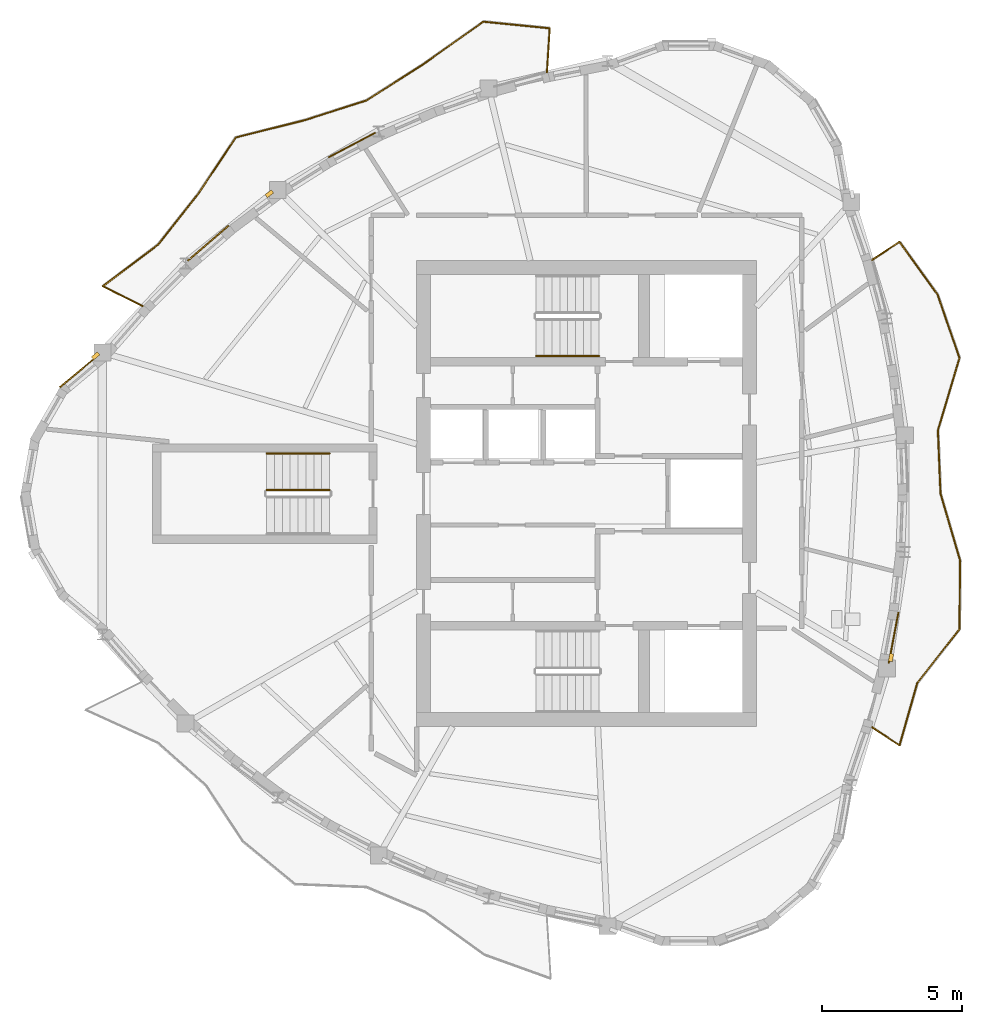
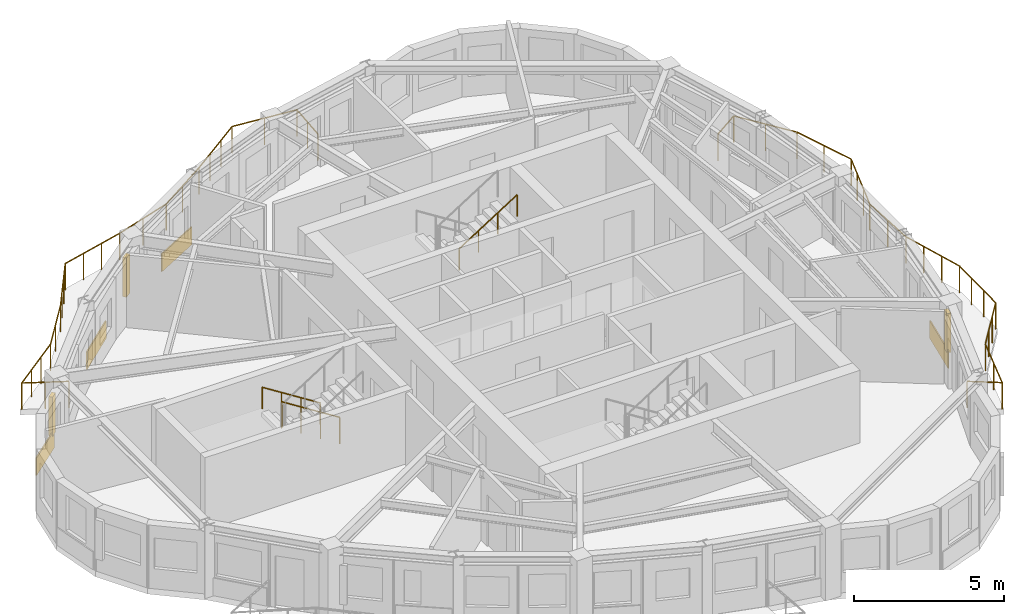
# One storey, part 9 of 11: 5 railings, 4 coverings, 3 shading devices.
"""IFC4 building model written with IfcOpenShell, lengths in metres."""

from ifc_helpers import new_model, si_unit, direction, frame, origin, origin_2d, place, context, subcontext, project, spatial, rectangle, circle, extrude, source, transform, mapped, material, layer, layer_set, type_object, element, save


model = new_model("IFC4")

# Units and contexts
model_context = context("Model", 3, precision=1e-05, world=origin(), true_north=direction((0.0, 1.0)))
body_context = subcontext(model_context, "Body", "Model", "MODEL_VIEW")
ifc_project = project(units=[si_unit("LENGTHUNIT", "METRE"), si_unit("AREAUNIT", "SQUARE_METRE"), si_unit("VOLUMEUNIT", "CUBIC_METRE"), si_unit("PLANEANGLEUNIT", "RADIAN"), si_unit("MASSUNIT", "GRAM", prefix="KILO")], contexts=[model_context])

# Site, building, storey
site_placement = place(None, origin())
site = spatial("IfcSite", under=ifc_project, at=site_placement, CompositionType="ELEMENT")
building_placement = place(site_placement, origin())
building = spatial("IfcBuilding", under=site, at=building_placement, Name="Qafzar Sky-Pleat Residences", CompositionType="ELEMENT")
storey_placement = place(building_placement, frame((0.0, 0.0, 237.199951171875)))
storey = spatial("IfcBuildingStorey", under=building, at=storey_placement, Name="L71", CompositionType="ELEMENT", Elevation=237.199951171875)

# Shading devices
ifc_material_1 = material(Name="Honed Riyadh limestone solar fin", Category="masonry")
ifc_layer_1 = layer(ifc_material_1, 0.139892578125)
ifc_layer_set_1 = layer_set([ifc_layer_1], Name="Honed Riyadh limestone solar fin")
shading_device_type = type_object("IfcShadingDeviceType", Name="SHD-FIN-STONE", PredefinedType="SHUTTER", material=ifc_layer_set_1)
shared_shape_1 = source(origin(), body_context, "Body", "SweptSolid", [
    extrude(rectangle(XDim=0.139892578125, YDim=0.280029296875, at=origin_2d()), origin(), (0.0, 0.0, 1.0), 1.60009765625),
])
for number, where, z_axis, x_axis, name in (
    (1, (12.8681640625, 30.90478515625, 0.60009765625), (0.0, 0.0, 1.0), (-0.642754210861, 0.76607246682, 0.0), "L71 Limestone Solar Fin 1"),
    (2, (41.1982421875, 20.161376953125, 0.60009765625), (0.0, 0.0, 1.0), (0.982430784042, -0.186627314633, 0.0), "L71 Limestone Solar Fin 25"),
    (3, (19.059814453125, 36.677490234375, 0.60009765625), (0.0, 0.0, 1.0), (-0.594881956884, 0.803813073652, 0.0), "L71 Limestone Solar Fin 45"),
):
    element("IfcShadingDevice", number, at=place(storey_placement, frame(where, z_axis=z_axis, x_axis=x_axis)), inside=storey, type_object=shading_device_type, Name=name, PredefinedType="SHUTTER", context=body_context, shape_type="MappedRepresentation", body=[
        mapped(shared_shape_1, transform((0.0, 0.0, 0.0), x_axis=(1.0, 0.0, 0.0), y_axis=(0.0, 1.0, 0.0), z_axis=(0.0, 0.0, 1.0), scale=1.0)),
    ])

# Covering
ifc_material_2 = material(Name="Honed Riyadh Tuwaiq limestone cladding", Category="masonry")
ifc_layer_2 = layer(ifc_material_2, 0.044921875)
ifc_layer_set_2 = layer_set([ifc_layer_2], Name="Honed Riyadh Tuwaiq limestone cladding")
covering_type = type_object("IfcCoveringType", Name="COV-CLAD-STONE", PredefinedType="CLADDING", material=ifc_layer_set_2)
shared_shape_2 = source(origin(), body_context, "Body", "SweptSolid", [
    extrude(rectangle(XDim=1.76611328125, YDim=0.044921875, at=origin_2d()), origin(), (0.0, 0.0, 1.0), 0.719970703125),
])
covering_1_placement = place(storey_placement, frame((12.275390625, 30.351318359375, 0.02001953125), z_axis=(0.0, 0.0, 1.0), x_axis=(-0.76607417096, -0.642752179762, 0.0)))
element("IfcCovering", 4, at=covering_1_placement, inside=storey, type_object=covering_type, Name="L71 Riyadh Limestone Spandrel Cladding 1", PredefinedType="CLADDING", context=body_context, shape_type="MappedRepresentation", body=[
    mapped(shared_shape_2, transform((0.0, 0.0, 0.0), x_axis=(1.0, 0.0, 0.0), y_axis=(0.0, 1.0, 0.0), z_axis=(0.0, 0.0, 1.0), scale=1.0)),
])

# Railings
ifc_material_3 = material(Name="Laminated glass and bronze steel balustrade", Category="steel")
railing_type_1 = type_object("IfcRailingType", Name="RAIL-BAL-1100", PredefinedType="BALUSTRADE", material=ifc_material_3)
shared_shape_3 = source(origin(), body_context, "Body", "SweptSolid", [
    extrude(circle(Radius=0.02392578125, at=origin_2d()), frame((0.0, 0.0, 1.076171875), z_axis=(0.832941990443, -0.553360317114, 0.0), x_axis=(0.553360317114, 0.832941990443, 0.0)), (0.0, 0.0, 1.0), 1.177978515625),
    extrude(circle(Radius=0.02392578125, at=origin_2d()), frame((0.981201171875, -0.65185546875, 1.076171875), z_axis=(0.274804820115, 0.961500031639, 0.0), x_axis=(-0.961500031639, 0.274804820115, 0.0)), (0.0, 0.0, 1.0), 2.311767578125),
    extrude(circle(Radius=0.02392578125, at=origin_2d()), frame((1.616455078125, 1.57080078125, 1.076171875), z_axis=(0.616921962432, 0.787024327622, 0.0), x_axis=(-0.787024327622, 0.616921962432, 0.0)), (0.0, 0.0, 1.0), 2.43408203125),
    extrude(circle(Radius=0.02392578125, at=origin_2d()), frame((3.1181640625, 3.486572265625, 1.076171875), z_axis=(0.009459843576, 0.999955254679, 0.0), x_axis=(-0.999955254679, 0.009459843576, 0.0)), (0.0, 0.0, 1.0), 2.45166015625),
    extrude(circle(Radius=0.02392578125, at=origin_2d()), frame((3.141357421875, 5.938232421875, 1.076171875), z_axis=(-0.282123613587, 0.959378062422, 0.0), x_axis=(-0.959378062422, -0.282123613587, 0.0)), (0.0, 0.0, 1.0), 2.475830078125),
    extrude(circle(Radius=0.02392578125, at=origin_2d()), frame((2.44287109375, 8.3134765625, 1.076171875), z_axis=(-0.04099614339, 0.999159304729, 0.0), x_axis=(-0.999159304729, -0.04099614339, 0.0)), (0.0, 0.0, 1.0), 2.257080078125),
    extrude(circle(Radius=0.02392578125, at=origin_2d()), frame((2.350341796875, 10.568603515625, 1.076171875), z_axis=(0.28607915641, 0.958205988432, 0.0), x_axis=(-0.958205988432, 0.28607915641, 0.0)), (0.0, 0.0, 1.0), 2.683837890625),
    extrude(circle(Radius=0.02392578125, at=origin_2d()), frame((3.1181640625, 13.140380859375, 1.076171875), z_axis=(-0.326044180463, 0.945354532642, 0.0), x_axis=(-0.945354532642, -0.326044180463, 0.0)), (0.0, 0.0, 1.0), 2.390869140625),
    extrude(circle(Radius=0.02392578125, at=origin_2d()), frame((2.338623046875, 15.400634765625, 1.076171875), z_axis=(-0.58576362681, 0.810481939038, 0.0), x_axis=(-0.810481939038, -0.58576362681, 0.0)), (0.0, 0.0, 1.0), 2.3173828125),
    extrude(circle(Radius=0.02392578125, at=origin_2d()), frame((0.981201171875, 17.27880859375, 1.076171875), z_axis=(-0.832941990443, -0.553360317114, 0.0), x_axis=(0.553360317114, -0.832941990443, 0.0)), (0.0, 0.0, 1.0), 1.177978515625),
    extrude(circle(Radius=0.02099609375, at=origin_2d()), origin(), (0.0, 0.0, 1.0), 1.052001953125),
    extrude(circle(Radius=0.02099609375, at=origin_2d()), frame((0.981201171875, -0.65185546875, 0.0)), (0.0, 0.0, 1.0), 1.052001953125),
    extrude(circle(Radius=0.02099609375, at=origin_2d()), frame((1.298828125, 0.45947265625, 0.0)), (0.0, 0.0, 1.0), 1.052001953125),
    extrude(circle(Radius=0.02099609375, at=origin_2d()), frame((1.616455078125, 1.57080078125, 0.0)), (0.0, 0.0, 1.0), 1.052001953125),
    extrude(circle(Radius=0.02099609375, at=origin_2d()), frame((2.116943359375, 2.20947265625, 0.0)), (0.0, 0.0, 1.0), 1.052001953125),
    extrude(circle(Radius=0.02099609375, at=origin_2d()), frame((2.61767578125, 2.847900390625, 0.0)), (0.0, 0.0, 1.0), 1.052001953125),
    extrude(circle(Radius=0.02099609375, at=origin_2d()), frame((3.1181640625, 3.486572265625, 0.0)), (0.0, 0.0, 1.0), 1.052001953125),
    extrude(circle(Radius=0.02099609375, at=origin_2d()), frame((3.1259765625, 4.3037109375, 0.0)), (0.0, 0.0, 1.0), 1.052001953125),
    extrude(circle(Radius=0.02099609375, at=origin_2d()), frame((3.133544921875, 5.12109375, 0.0)), (0.0, 0.0, 1.0), 1.052001953125),
    extrude(circle(Radius=0.02099609375, at=origin_2d()), frame((3.141357421875, 5.938232421875, 0.0)), (0.0, 0.0, 1.0), 1.052001953125),
    extrude(circle(Radius=0.02099609375, at=origin_2d()), frame((2.908447265625, 6.72998046875, 0.0)), (0.0, 0.0, 1.0), 1.052001953125),
    extrude(circle(Radius=0.02099609375, at=origin_2d()), frame((2.67578125, 7.521728515625, 0.0)), (0.0, 0.0, 1.0), 1.052001953125),
    extrude(circle(Radius=0.02099609375, at=origin_2d()), frame((2.44287109375, 8.3134765625, 0.0)), (0.0, 0.0, 1.0), 1.052001953125),
    extrude(circle(Radius=0.02099609375, at=origin_2d()), frame((2.396484375, 9.44091796875, 0.0)), (0.0, 0.0, 1.0), 1.052001953125),
    extrude(circle(Radius=0.02099609375, at=origin_2d()), frame((2.350341796875, 10.568603515625, 0.0)), (0.0, 0.0, 1.0), 1.052001953125),
    extrude(circle(Radius=0.02099609375, at=origin_2d()), frame((2.606201171875, 11.42578125, 0.0)), (0.0, 0.0, 1.0), 1.052001953125),
    extrude(circle(Radius=0.02099609375, at=origin_2d()), frame((2.8623046875, 12.283203125, 0.0)), (0.0, 0.0, 1.0), 1.052001953125),
    extrude(circle(Radius=0.02099609375, at=origin_2d()), frame((3.1181640625, 13.140380859375, 0.0)), (0.0, 0.0, 1.0), 1.052001953125),
    extrude(circle(Radius=0.02099609375, at=origin_2d()), frame((2.728515625, 14.2705078125, 0.0)), (0.0, 0.0, 1.0), 1.052001953125),
    extrude(circle(Radius=0.02099609375, at=origin_2d()), frame((2.338623046875, 15.400634765625, 0.0)), (0.0, 0.0, 1.0), 1.052001953125),
    extrude(circle(Radius=0.02099609375, at=origin_2d()), frame((1.659912109375, 16.33984375, 0.0)), (0.0, 0.0, 1.0), 1.052001953125),
    extrude(circle(Radius=0.02099609375, at=origin_2d()), frame((0.981201171875, 17.27880859375, 0.0)), (0.0, 0.0, 1.0), 1.052001953125),
    extrude(circle(Radius=0.02099609375, at=origin_2d()), frame((0.0, 16.626953125, 0.0)), (0.0, 0.0, 1.0), 1.052001953125),
])
railing_1_placement = place(storey_placement, frame((40.51513671875, 17.6865234375, 0.0)))
element("IfcRailing", 5, at=railing_1_placement, inside=storey, type_object=railing_type_1, Name="L71 Pleated Balcony 1 Balustrade", PredefinedType="BALUSTRADE", context=body_context, shape_type="MappedRepresentation", body=[
    mapped(shared_shape_3, transform((0.0, 0.0, 0.0), x_axis=(1.0, 0.0, 0.0), y_axis=(0.0, 1.0, 0.0), z_axis=(0.0, 0.0, 1.0), scale=1.0)),
])
shared_shape_4 = source(origin(), body_context, "Body", "SweptSolid", [
    extrude(circle(Radius=0.02392578125, at=origin_2d()), frame((0.0, 0.0, 1.076171875), z_axis=(0.062657604735, 0.998035081833, 0.0), x_axis=(-0.998035081833, 0.062657604735, 0.0)), (0.0, 0.0, 1.0), 1.578125),
    extrude(circle(Radius=0.02392578125, at=origin_2d()), frame((0.098876953125, 1.574951171875, 1.076171875), z_axis=(-0.995050421946, 0.099371312685, 0.0), x_axis=(-0.099371312685, -0.995050421946, 0.0)), (0.0, 0.0, 1.0), 2.373291015625),
    extrude(circle(Radius=0.02392578125, at=origin_2d()), frame((-2.2626953125, 1.810791015625, 1.076171875), z_axis=(-0.816384894567, -0.577508185157, 0.0), x_axis=(0.577508185157, -0.816384894567, 0.0)), (0.0, 0.0, 1.0), 2.648193359375),
    extrude(circle(Radius=0.02392578125, at=origin_2d()), frame((-4.424560546875, 0.281494140625, 1.076171875), z_axis=(-0.842824773655, -0.538188072066, 0.0), x_axis=(0.538188072066, -0.842824773655, 0.0)), (0.0, 0.0, 1.0), 2.369873046875),
    extrude(circle(Radius=0.02392578125, at=origin_2d()), frame((-6.421875, -0.993896484375, 1.076171875), z_axis=(-0.952747816734, -0.303762403382, 0.0), x_axis=(0.303762403382, -0.952747816734, 0.0)), (0.0, 0.0, 1.0), 2.308349609375),
    extrude(circle(Radius=0.02392578125, at=origin_2d()), frame((-8.62109375, -1.695068359375, 1.076171875), z_axis=(-0.969892452892, -0.24353363181, 0.0), x_axis=(0.24353363181, -0.969892452892, 0.0)), (0.0, 0.0, 1.0), 2.5322265625),
    extrude(circle(Radius=0.02392578125, at=origin_2d()), frame((-11.0771484375, -2.311767578125, 1.076171875), z_axis=(-0.555023477962, -0.831834682441, 0.0), x_axis=(0.831834682441, -0.555023477962, 0.0)), (0.0, 0.0, 1.0), 2.439453125),
    extrude(circle(Radius=0.02392578125, at=origin_2d()), frame((-12.43115234375, -4.341064453125, 1.076171875), z_axis=(-0.621031998017, -0.783785211291, 0.0), x_axis=(0.783785211291, -0.621031998017, 0.0)), (0.0, 0.0, 1.0), 2.280029296875),
    extrude(circle(Radius=0.02392578125, at=origin_2d()), frame((-13.84716796875, -6.128173828125, 1.076171875), z_axis=(-0.798188250997, -0.60240809753, 0.0), x_axis=(0.60240809753, -0.798188250997, 0.0)), (0.0, 0.0, 1.0), 2.462890625),
    extrude(circle(Radius=0.02392578125, at=origin_2d()), frame((-15.81298828125, -7.61181640625, 1.076171875), z_axis=(0.895661295067, -0.444736826134, 0.0), x_axis=(0.444736826134, 0.895661295067, 0.0)), (0.0, 0.0, 1.0), 1.578125),
    extrude(circle(Radius=0.02099609375, at=origin_2d()), origin(), (0.0, 0.0, 1.0), 1.052001953125),
    extrude(circle(Radius=0.02099609375, at=origin_2d()), frame((0.04931640625, 0.78759765625, 0.0)), (0.0, 0.0, 1.0), 1.052001953125),
    extrude(circle(Radius=0.02099609375, at=origin_2d()), frame((0.098876953125, 1.574951171875, 0.0)), (0.0, 0.0, 1.0), 1.052001953125),
    extrude(circle(Radius=0.02099609375, at=origin_2d()), frame((-1.08203125, 1.69287109375, 0.0)), (0.0, 0.0, 1.0), 1.052001953125),
    extrude(circle(Radius=0.02099609375, at=origin_2d()), frame((-2.2626953125, 1.810791015625, 0.0)), (0.0, 0.0, 1.0), 1.052001953125),
    extrude(circle(Radius=0.02099609375, at=origin_2d()), frame((-2.9833984375, 1.301025390625, 0.0)), (0.0, 0.0, 1.0), 1.052001953125),
    extrude(circle(Radius=0.02099609375, at=origin_2d()), frame((-3.703857421875, 0.791259765625, 0.0)), (0.0, 0.0, 1.0), 1.052001953125),
    extrude(circle(Radius=0.02099609375, at=origin_2d()), frame((-4.424560546875, 0.281494140625, 0.0)), (0.0, 0.0, 1.0), 1.052001953125),
    extrude(circle(Radius=0.02099609375, at=origin_2d()), frame((-5.42333984375, -0.356201171875, 0.0)), (0.0, 0.0, 1.0), 1.052001953125),
    extrude(circle(Radius=0.02099609375, at=origin_2d()), frame((-6.421875, -0.993896484375, 0.0)), (0.0, 0.0, 1.0), 1.052001953125),
    extrude(circle(Radius=0.02099609375, at=origin_2d()), frame((-7.521484375, -1.344482421875, 0.0)), (0.0, 0.0, 1.0), 1.052001953125),
    extrude(circle(Radius=0.02099609375, at=origin_2d()), frame((-8.62109375, -1.695068359375, 0.0)), (0.0, 0.0, 1.0), 1.052001953125),
    extrude(circle(Radius=0.02099609375, at=origin_2d()), frame((-9.439697265625, -1.900634765625, 0.0)), (0.0, 0.0, 1.0), 1.052001953125),
    extrude(circle(Radius=0.02099609375, at=origin_2d()), frame((-10.258544921875, -2.106201171875, 0.0)), (0.0, 0.0, 1.0), 1.052001953125),
    extrude(circle(Radius=0.02099609375, at=origin_2d()), frame((-11.0771484375, -2.311767578125, 0.0)), (0.0, 0.0, 1.0), 1.052001953125),
    extrude(circle(Radius=0.02099609375, at=origin_2d()), frame((-11.528564453125, -2.98828125, 0.0)), (0.0, 0.0, 1.0), 1.052001953125),
    extrude(circle(Radius=0.02099609375, at=origin_2d()), frame((-11.979736328125, -3.66455078125, 0.0)), (0.0, 0.0, 1.0), 1.052001953125),
    extrude(circle(Radius=0.02099609375, at=origin_2d()), frame((-12.43115234375, -4.341064453125, 0.0)), (0.0, 0.0, 1.0), 1.052001953125),
    extrude(circle(Radius=0.02099609375, at=origin_2d()), frame((-13.13916015625, -5.234619140625, 0.0)), (0.0, 0.0, 1.0), 1.052001953125),
    extrude(circle(Radius=0.02099609375, at=origin_2d()), frame((-13.84716796875, -6.128173828125, 0.0)), (0.0, 0.0, 1.0), 1.052001953125),
    extrude(circle(Radius=0.02099609375, at=origin_2d()), frame((-14.50244140625, -6.622802734375, 0.0)), (0.0, 0.0, 1.0), 1.052001953125),
    extrude(circle(Radius=0.02099609375, at=origin_2d()), frame((-15.15771484375, -7.1171875, 0.0)), (0.0, 0.0, 1.0), 1.052001953125),
    extrude(circle(Radius=0.02099609375, at=origin_2d()), frame((-15.81298828125, -7.61181640625, 0.0)), (0.0, 0.0, 1.0), 1.052001953125),
    extrude(circle(Radius=0.02099609375, at=origin_2d()), frame((-15.106201171875, -7.962890625, 0.0)), (0.0, 0.0, 1.0), 1.052001953125),
    extrude(circle(Radius=0.02099609375, at=origin_2d()), frame((-14.3994140625, -8.313720703125, 0.0)), (0.0, 0.0, 1.0), 1.052001953125),
])
railing_2_placement = place(storey_placement, frame((28.942138671875, 40.995361328125, 0.0)))
element("IfcRailing", 6, at=railing_2_placement, inside=storey, type_object=railing_type_1, Name="L71 Pleated Balcony 2 Balustrade", PredefinedType="BALUSTRADE", context=body_context, shape_type="MappedRepresentation", body=[
    mapped(shared_shape_4, transform((0.0, 0.0, 0.0), x_axis=(1.0, 0.0, 0.0), y_axis=(0.0, 1.0, 0.0), z_axis=(0.0, 0.0, 1.0), scale=1.0)),
])

# Coverings
shared_shape_5 = source(origin(), body_context, "Body", "SweptSolid", [
    extrude(rectangle(XDim=1.855712890625, YDim=0.044921875, at=origin_2d()), origin(), (0.0, 0.0, 1.0), 0.719970703125),
])
covering_2_placement = place(storey_placement, frame((41.28857421875, 20.866943359375, 0.02001953125), z_axis=(0.0, 0.0, 1.0), x_axis=(0.186630686813, 0.98243014344, 0.0)))
element("IfcCovering", 7, at=covering_2_placement, inside=storey, type_object=covering_type, Name="L71 Riyadh Limestone Spandrel Cladding 25", PredefinedType="CLADDING", context=body_context, shape_type="MappedRepresentation", body=[
    mapped(shared_shape_5, transform((0.0, 0.0, 0.0), x_axis=(1.0, 0.0, 0.0), y_axis=(0.0, 1.0, 0.0), z_axis=(0.0, 0.0, 1.0), scale=1.0)),
])
shared_shape_6 = source(origin(), body_context, "Body", "SweptSolid", [
    extrude(rectangle(XDim=1.88671875, YDim=0.044921875, at=origin_2d()), origin(), (0.0, 0.0, 1.0), 0.719970703125),
])
covering_3_placement = place(storey_placement, frame((21.9990234375, 38.414306640625, 0.02001953125), z_axis=(0.0, 0.0, 1.0), x_axis=(-0.884363965403, -0.46679800417, 0.0)))
element("IfcCovering", 8, at=covering_3_placement, inside=storey, type_object=covering_type, Name="L71 Riyadh Limestone Spandrel Cladding 43", PredefinedType="CLADDING", context=body_context, shape_type="MappedRepresentation", body=[
    mapped(shared_shape_6, transform((0.0, 0.0, 0.0), x_axis=(1.0, 0.0, 0.0), y_axis=(0.0, 1.0, 0.0), z_axis=(0.0, 0.0, 1.0), scale=1.0)),
])
shared_shape_7 = source(origin(), body_context, "Body", "SweptSolid", [
    extrude(rectangle(XDim=1.918701171875, YDim=0.044921875, at=origin_2d()), origin(), (0.0, 0.0, 1.0), 0.719970703125),
])
covering_4_placement = place(storey_placement, frame((16.8837890625, 34.918701171875, 0.02001953125), z_axis=(0.0, 0.0, 1.0), x_axis=(-0.757495550636, -0.652840325628, 0.0)))
element("IfcCovering", 9, at=covering_4_placement, inside=storey, type_object=covering_type, Name="L71 Riyadh Limestone Spandrel Cladding 46", PredefinedType="CLADDING", context=body_context, shape_type="MappedRepresentation", body=[
    mapped(shared_shape_7, transform((0.0, 0.0, 0.0), x_axis=(1.0, 0.0, 0.0), y_axis=(0.0, 1.0, 0.0), z_axis=(0.0, 0.0, 1.0), scale=1.0)),
])

# Railings
ifc_material_4 = material(Name="Brushed stainless steel handrail", Category="steel")
railing_type_2 = type_object("IfcRailingType", Name="RAIL-STAIR-HAND", PredefinedType="HANDRAIL", material=ifc_material_4)
shared_shape_8 = source(origin(), body_context, "Body", "SweptSolid", [
    extrude(circle(Radius=0.02392578125, at=origin_2d()), frame((0.0, 0.0, 0.8759765625), z_axis=(0.8442293374, 0.0, 0.53598211339), x_axis=(0.0, 1.0, 0.0)), (0.0, 0.0, 1.0), 2.6533203125),
    extrude(circle(Radius=0.02099609375, at=origin_2d()), origin(), (0.0, 0.0, 1.0), 0.851806640625),
    extrude(circle(Radius=0.02099609375, at=origin_2d()), frame((0.74658203125, 0.0, 0.47412109375)), (0.0, 0.0, 1.0), 0.851806640625),
    extrude(circle(Radius=0.02099609375, at=origin_2d()), frame((1.493408203125, 0.0, 0.947998046875)), (0.0, 0.0, 1.0), 0.851806640625),
    extrude(circle(Radius=0.02099609375, at=origin_2d()), frame((2.239990234375, 0.0, 1.422119140625)), (0.0, 0.0, 1.0), 0.851806640625),
])
railing_3_placement = place(storey_placement, frame((28.56005859375, 30.89990234375, 1.77783203125)))
element("IfcRailing", 10, at=railing_3_placement, inside=storey, type_object=railing_type_2, Name="L71 ST2 stair handrail 2", PredefinedType="HANDRAIL", context=body_context, shape_type="MappedRepresentation", body=[
    mapped(shared_shape_8, transform((0.0, 0.0, 0.0), x_axis=(1.0, 0.0, 0.0), y_axis=(0.0, 1.0, 0.0), z_axis=(0.0, 0.0, 1.0), scale=1.0)),
])
ifc_material_5 = material(Name="Painted Steel S355 stair guardrail", Category="steel")
railing_type_3 = type_object("IfcRailingType", Name="RAIL-STAIR-GUARD", PredefinedType="GUARDRAIL", material=ifc_material_5)
shared_shape_9 = source(origin(), body_context, "Body", "SweptSolid", [
    extrude(circle(Radius=0.02392578125, at=origin_2d()), frame((0.0, 0.0, 1.076171875), z_axis=(-0.84418770128, 0.0, 0.536047689118), x_axis=(0.0, -1.0, 0.0)), (0.0, 0.0, 1.0), 2.6533203125),
    extrude(circle(Radius=0.02099609375, at=origin_2d()), origin(), (0.0, 0.0, 1.0), 1.052001953125),
    extrude(circle(Radius=0.02099609375, at=origin_2d()), frame((-0.74658203125, 0.0, 0.47412109375)), (0.0, 0.0, 1.0), 1.052001953125),
    extrude(circle(Radius=0.02099609375, at=origin_2d()), frame((-1.493408203125, 0.0, 0.9482421875)), (0.0, 0.0, 1.0), 1.052001953125),
    extrude(circle(Radius=0.02099609375, at=origin_2d()), frame((-2.239990234375, 0.0, 1.42236328125)), (0.0, 0.0, 1.0), 1.052001953125),
])
railing_4_placement = place(storey_placement, frame((21.199951171875, 26.125, 0.177734375)))
element("IfcRailing", 11, at=railing_4_placement, inside=storey, type_object=railing_type_3, Name="L71 ST3 stair guard 1", PredefinedType="GUARDRAIL", context=body_context, shape_type="MappedRepresentation", body=[
    mapped(shared_shape_9, transform((0.0, 0.0, 0.0), x_axis=(1.0, 0.0, 0.0), y_axis=(0.0, 1.0, 0.0), z_axis=(0.0, 0.0, 1.0), scale=1.0)),
])
shared_shape_10 = source(origin(), body_context, "Body", "SweptSolid", [
    extrude(circle(Radius=0.02392578125, at=origin_2d()), frame((0.0, 0.0, 0.8759765625), z_axis=(-0.84418770128, 0.0, 0.536047689118), x_axis=(0.0, -1.0, 0.0)), (0.0, 0.0, 1.0), 2.6533203125),
    extrude(circle(Radius=0.02099609375, at=origin_2d()), origin(), (0.0, 0.0, 1.0), 0.851806640625),
    extrude(circle(Radius=0.02099609375, at=origin_2d()), frame((-0.74658203125, 0.0, 0.47412109375)), (0.0, 0.0, 1.0), 0.851806640625),
    extrude(circle(Radius=0.02099609375, at=origin_2d()), frame((-1.493408203125, 0.0, 0.9482421875)), (0.0, 0.0, 1.0), 0.851806640625),
    extrude(circle(Radius=0.02099609375, at=origin_2d()), frame((-2.239990234375, 0.0, 1.42236328125)), (0.0, 0.0, 1.0), 0.851806640625),
])
railing_5_placement = place(storey_placement, frame((21.199951171875, 27.425048828125, 0.177734375)))
element("IfcRailing", 12, at=railing_5_placement, inside=storey, type_object=railing_type_2, Name="L71 ST3 stair handrail 1", PredefinedType="HANDRAIL", context=body_context, shape_type="MappedRepresentation", body=[
    mapped(shared_shape_10, transform((0.0, 0.0, 0.0), x_axis=(1.0, 0.0, 0.0), y_axis=(0.0, 1.0, 0.0), z_axis=(0.0, 0.0, 1.0), scale=1.0)),
])

save(model, "model.ifc")
